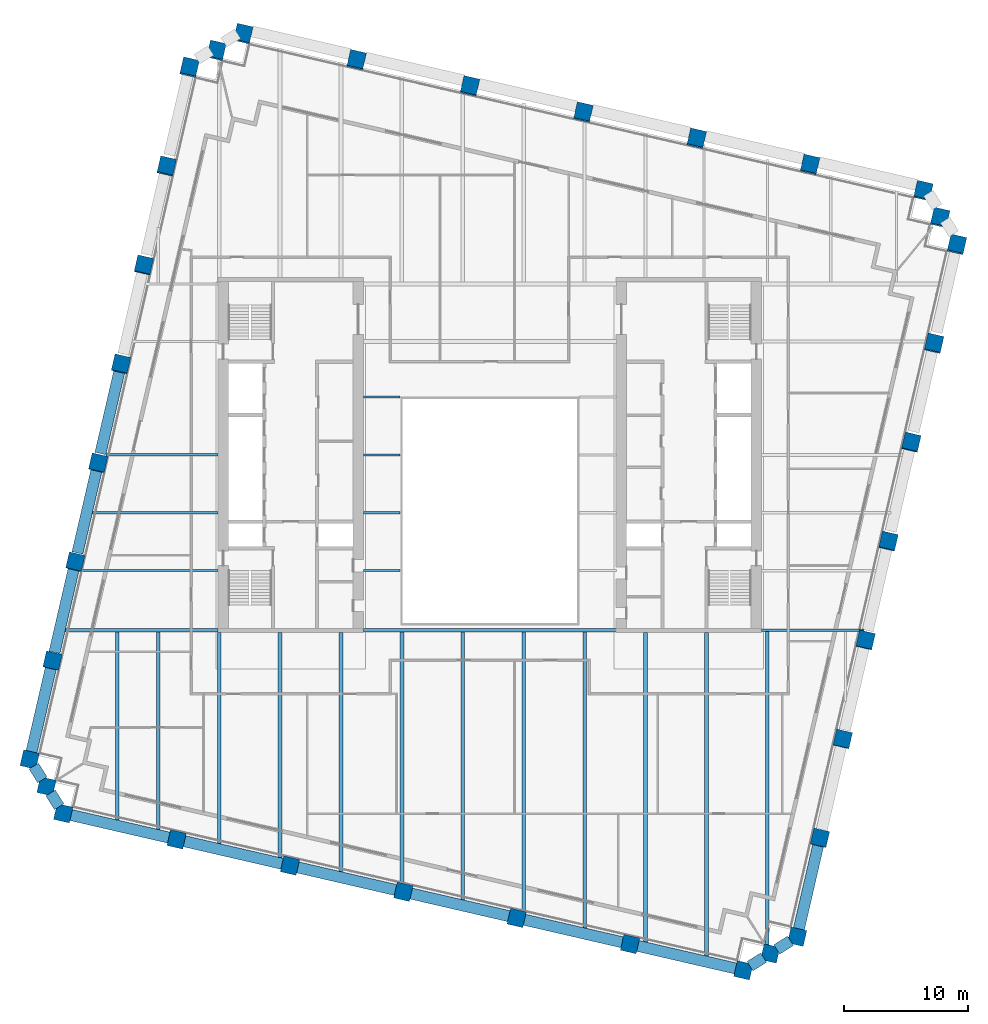
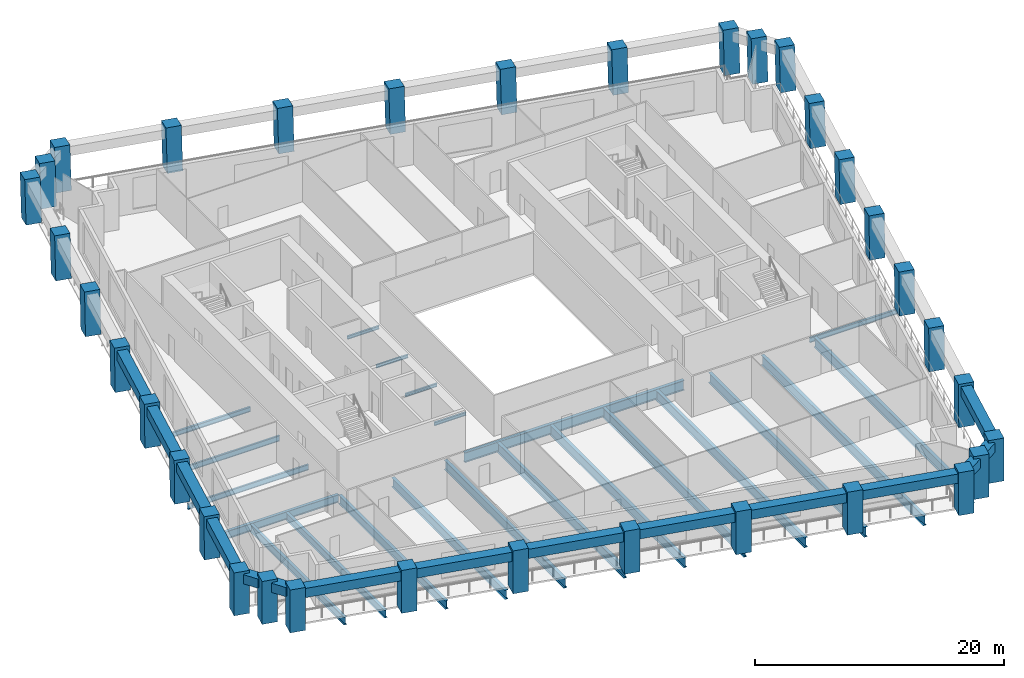
# One storey, part 1 of 9: 37 beams, 34 columns.
"""IFC4 building model written with IfcOpenShell, lengths in metres."""

from ifc_helpers import new_model, si_unit, direction, frame, origin, origin_2d, place, context, subcontext, project, spatial, rectangle, i_section, extrude, material, material_profile, profile_set, type_object, element, save


model = new_model("IFC4")

# Units and contexts
model_context = context("Model", 3, precision=1e-05, world=origin(), true_north=direction((0.0, 1.0)))
body_context = subcontext(model_context, "Body", "Model", "MODEL_VIEW")
ifc_project = project(units=[si_unit("LENGTHUNIT", "METRE"), si_unit("AREAUNIT", "SQUARE_METRE"), si_unit("VOLUMEUNIT", "CUBIC_METRE"), si_unit("PLANEANGLEUNIT", "RADIAN"), si_unit("MASSUNIT", "GRAM", prefix="KILO")], contexts=[model_context])

# Site, building, storey
site_placement = place(None, origin())
site = spatial("IfcSite", under=ifc_project, at=site_placement, CompositionType="ELEMENT")
building_placement = place(site_placement, origin())
building = spatial("IfcBuilding", under=site, at=building_placement, Name="Ogive Exchange Tower", CompositionType="ELEMENT")
storey_placement = place(building_placement, frame((0.0, 0.0, 126.60009765625)))
storey = spatial("IfcBuildingStorey", under=building, at=storey_placement, Name="L27", CompositionType="ELEMENT", Elevation=126.60009765625)

# Columns
ifc_material_1 = material(Name="Precast concrete C70/85 (limestone faced)", Category="masonry")
ifc_material_profile_1 = material_profile(ifc_material_1, rectangle(XDim=1.300048828125, YDim=1.300048828125, at=origin_2d()), Name="1300 x 1300")
ifc_profile_set_1 = profile_set([ifc_material_profile_1], Name="Precast concrete C70/85 (limestone faced)")
column_type = type_object("IfcColumnType", Name="Precast exoskeleton leg 1300 x 1300 C70/85", PredefinedType="COLUMN", material=ifc_profile_set_1)
for number, where, z_axis, x_axis, name in (
    (1, (-34.281982421875, -17.298095703125, 0.0), (0.0, 0.0, 1.0), (0.974370064785, -0.224951054344, 0.0), "Exoskeleton leg 1"),
    (2, (-25.171630859375, -19.401611328125, 0.0), (0.0, 0.0, 1.0), (0.974370064785, -0.224951054344, 0.0), "Exoskeleton leg 2"),
    (3, (-16.061279296875, -21.504638671875, 0.0), (0.0, 0.0, 1.0), (0.974370064785, -0.224951054344, 0.0), "Exoskeleton leg 3"),
    (4, (-6.950927734375, -23.60791015625, 0.0), (0.0, 0.0, 1.0), (0.974370064785, -0.224951054344, 0.0), "Exoskeleton leg 4"),
    (5, (2.159423828125, -25.711181640625, 0.0), (0.0, 0.0, 1.0), (0.974370064785, -0.224951054344, 0.0), "Exoskeleton leg 5"),
    (6, (11.269775390625, -27.814697265625, 0.0), (0.0, 0.0, 1.0), (0.974370064785, -0.224951054344, 0.0), "Exoskeleton leg 6"),
    (7, (20.380126953125, -29.91796875, 0.0), (0.0, 0.0, 1.0), (0.974370064785, -0.224951054344, 0.0), "Exoskeleton leg 7"),
    (8, (24.697509765625, -27.219970703125, 0.0), (0.0, 0.0, 1.0), (0.974370064785, -0.224951054344, 0.0), "Exoskeleton leg 8"),
):
    element("IfcColumn", number, at=place(storey_placement, frame(where, z_axis=z_axis, x_axis=x_axis)), inside=storey, type_object=column_type, Name=name, PredefinedType="COLUMN", context=body_context, shape_type="SweptSolid", body=[
        extrude(rectangle(XDim=1.300048828125, YDim=1.300048828125, at=origin_2d()), origin(), (0.0, 0.0, 1.0), 4.199951171875),
    ])
column_1_placement = place(storey_placement, frame((26.531005859375, -19.2783203125, 0.0), z_axis=(0.002964348167, 0.012671135303, 0.9999153239), x_axis=(-0.973709261374, 0.227794368487, 0.0)))
element("IfcColumn", 9, at=column_1_placement, inside=storey, type_object=column_type, Name="Exoskeleton leg 9", PredefinedType="COLUMN", context=body_context, shape_type="SweptSolid", body=[
    extrude(rectangle(XDim=1.300048828125, YDim=1.300048828125, at=origin_2d()), origin(), (0.0, 0.0, 1.0), 4.2001953125),
])
column_2_placement = place(storey_placement, frame((28.364501953125, -11.33642578125, 0.0), z_axis=(0.005869091843, 0.025277771797, 0.999663237302), x_axis=(-0.974088391429, 0.226167649504, 0.0)))
element("IfcColumn", 10, at=column_2_placement, inside=storey, type_object=column_type, Name="Exoskeleton leg 10", PredefinedType="COLUMN", context=body_context, shape_type="SweptSolid", body=[
    extrude(rectangle(XDim=1.300048828125, YDim=1.300048828125, at=origin_2d()), origin(), (0.0, 0.0, 1.0), 4.201416015625),
])
column_3_placement = place(storey_placement, frame((30.197998046875, -3.394775390625, 0.0), z_axis=(0.008828965511, 0.037929700519, 0.999241405861), x_axis=(-0.97396209058, 0.226710930732, 0.0)))
element("IfcColumn", 11, at=column_3_placement, inside=storey, type_object=column_type, Name="Exoskeleton leg 11", PredefinedType="COLUMN", context=body_context, shape_type="SweptSolid", body=[
    extrude(rectangle(XDim=1.300048828125, YDim=1.300048828125, at=origin_2d()), origin(), (0.0, 0.0, 1.0), 4.203125),
])
column_4_placement = place(storey_placement, frame((32.031494140625, 4.547119140625, 0.0), z_axis=(0.01172634467, 0.050504553776, 0.998654986914), x_axis=(-0.974088391429, 0.226167649504, 0.0)))
element("IfcColumn", 12, at=column_4_placement, inside=storey, type_object=column_type, Name="Exoskeleton leg 12", PredefinedType="COLUMN", context=body_context, shape_type="SweptSolid", body=[
    extrude(rectangle(XDim=1.300048828125, YDim=1.300048828125, at=origin_2d()), origin(), (0.0, 0.0, 1.0), 4.20556640625),
])
column_5_placement = place(storey_placement, frame((33.864990234375, 12.48876953125, 0.0), z_axis=(0.014617836866, 0.063111930596, 0.997899395261), x_axis=(-0.974209784844, 0.225644178107, 0.0)))
element("IfcColumn", 13, at=column_5_placement, inside=storey, type_object=column_type, Name="Exoskeleton leg 13", PredefinedType="COLUMN", context=body_context, shape_type="SweptSolid", body=[
    extrude(rectangle(XDim=1.300048828125, YDim=1.300048828125, at=origin_2d()), origin(), (0.0, 0.0, 1.0), 4.208740234375),
])
column_6_placement = place(storey_placement, frame((35.698486328125, 20.430419921875, 0.0), z_axis=(0.017501948819, 0.075745189095, 0.996973594493), x_axis=(-0.974328337224, 0.225131719848, 0.0)))
element("IfcColumn", 14, at=column_6_placement, inside=storey, type_object=column_type, Name="Exoskeleton leg 14", PredefinedType="COLUMN", context=body_context, shape_type="SweptSolid", body=[
    extrude(rectangle(XDim=1.300048828125, YDim=1.300048828125, at=origin_2d()), origin(), (0.0, 0.0, 1.0), 4.212646484375),
])
for number, where, z_axis, x_axis, name in (
    (15, (37.531982421875, 28.372314453125, 0.0), (0.020377493232, 0.0882252832, 0.995892091129), (-0.97434807649, 0.225046274885, 0.0), "Exoskeleton leg 15"),
    (16, (34.834228515625, 32.689697265625, 0.0), (0.020377493232, 0.0882252832, 0.995892091129), (-0.97434807649, 0.225046274885, 0.0), "Exoskeleton leg 16"),
    (17, (25.723876953125, 34.793212890625, 0.0), (0.020377597275, 0.088167842757, 0.995897175934), (-0.97431566651, 0.225186549318, 0.0), "Exoskeleton leg 17"),
    (18, (16.613525390625, 36.896484375, 0.0), (0.020377597275, 0.088167842757, 0.995897175934), (-0.97431566651, 0.225186549318, 0.0), "Exoskeleton leg 18"),
    (19, (7.503173828125, 38.999755859375, 0.0), (0.020377597275, 0.088167842757, 0.995897175934), (-0.97431566651, 0.225186549318, 0.0), "Exoskeleton leg 19"),
    (20, (-1.607177734375, 41.10302734375, 0.0), (0.020377493232, 0.0882252832, 0.995892091129), (-0.97434807649, 0.225046274885, 0.0), "Exoskeleton leg 20"),
    (21, (-10.717529296875, 43.206298828125, 0.0), (0.020377493232, 0.0882252832, 0.995892091129), (-0.97434807649, 0.225046274885, 0.0), "Exoskeleton leg 21"),
    (22, (-19.827880859375, 45.3095703125, 0.0), (0.020377493232, 0.0882252832, 0.995892091129), (-0.97434807649, 0.225046274885, 0.0), "Exoskeleton leg 22"),
    (23, (-24.1455078125, 42.611572265625, 0.0), (0.020377493232, 0.0882252832, 0.995892091129), (-0.97434807649, 0.225046274885, 0.0), "Exoskeleton leg 23"),
):
    element("IfcColumn", number, at=place(storey_placement, frame(where, z_axis=z_axis, x_axis=x_axis)), inside=storey, type_object=column_type, Name=name, PredefinedType="COLUMN", context=body_context, shape_type="SweptSolid", body=[
        extrude(rectangle(XDim=1.300048828125, YDim=1.300048828125, at=origin_2d()), origin(), (0.0, 0.0, 1.0), 4.21728515625),
    ])
column_7_placement = place(storey_placement, frame((-25.97900390625, 34.669921875, 0.0), z_axis=(0.017444089556, 0.075687644385, 0.996978978829), x_axis=(-0.974454034257, 0.224587032398, 0.0)))
element("IfcColumn", 24, at=column_7_placement, inside=storey, type_object=column_type, Name="Exoskeleton leg 24", PredefinedType="COLUMN", context=body_context, shape_type="SweptSolid", body=[
    extrude(rectangle(XDim=1.300048828125, YDim=1.300048828125, at=origin_2d()), origin(), (0.0, 0.0, 1.0), 4.212646484375),
])
column_8_placement = place(storey_placement, frame((-27.8125, 26.72802734375, 0.0), z_axis=(0.014559788571, 0.063169759976, 0.997896584813), x_axis=(-0.97445148511, 0.224598092528, 0.0)))
element("IfcColumn", 25, at=column_8_placement, inside=storey, type_object=column_type, Name="Exoskeleton leg 25", PredefinedType="COLUMN", context=body_context, shape_type="SweptSolid", body=[
    extrude(rectangle(XDim=1.300048828125, YDim=1.300048828125, at=origin_2d()), origin(), (0.0, 0.0, 1.0), 4.208740234375),
])
column_9_placement = place(storey_placement, frame((-29.64599609375, 18.786376953125, 0.0), z_axis=(0.011668267153, 0.050562490995, 0.998652735462), x_axis=(-0.974391195695, 0.224859506699, 0.0)))
element("IfcColumn", 26, at=column_9_placement, inside=storey, type_object=column_type, Name="Exoskeleton leg 26", PredefinedType="COLUMN", context=body_context, shape_type="SweptSolid", body=[
    extrude(rectangle(XDim=1.300048828125, YDim=1.300048828125, at=origin_2d()), origin(), (0.0, 0.0, 1.0), 4.20556640625),
])
column_10_placement = place(storey_placement, frame((-31.4794921875, 10.844482421875, 0.0), z_axis=(0.008770865357, 0.037987721479, 0.999239713451), x_axis=(-0.97436607968, 0.224968315033, 0.0)))
element("IfcColumn", 27, at=column_10_placement, inside=storey, type_object=column_type, Name="Exoskeleton leg 27", PredefinedType="COLUMN", context=body_context, shape_type="SweptSolid", body=[
    extrude(rectangle(XDim=1.300048828125, YDim=1.300048828125, at=origin_2d()), origin(), (0.0, 0.0, 1.0), 4.203125),
])
column_11_placement = place(storey_placement, frame((-33.31298828125, 2.90283203125, 0.0), z_axis=(0.005869083212, 0.025335844359, 0.999661767226), x_axis=(-0.974202561131, 0.225675363932, 0.0)))
element("IfcColumn", 28, at=column_11_placement, inside=storey, type_object=column_type, Name="Exoskeleton leg 28", PredefinedType="COLUMN", context=body_context, shape_type="SweptSolid", body=[
    extrude(rectangle(XDim=1.300048828125, YDim=1.300048828125, at=origin_2d()), origin(), (0.0, 0.0, 1.0), 4.201416015625),
])
column_12_placement = place(storey_placement, frame((-35.146484375, -5.038818359375, 0.0), z_axis=(0.002906224189, 0.012671137464, 0.999915494498), x_axis=(-0.974691740237, 0.22355315143, 0.0)))
element("IfcColumn", 29, at=column_12_placement, inside=storey, type_object=column_type, Name="Exoskeleton leg 29", PredefinedType="COLUMN", context=body_context, shape_type="SweptSolid", body=[
    extrude(rectangle(XDim=1.300048828125, YDim=1.300048828125, at=origin_2d()), origin(), (0.0, 0.0, 1.0), 4.2001953125),
])
for number, where, z_axis, x_axis, name in (
    (30, (-36.97998046875, -12.980712890625, 0.0), (0.0, 0.0, 1.0), (0.974370064785, -0.224951054344, 0.0), "Exoskeleton leg 30"),
    (31, (22.538818359375, -28.569091796875, 0.0), (0.0, 0.0, 1.0), (0.974370064785, -0.224951054344, 0.0), "Exoskeleton leg 31"),
):
    element("IfcColumn", number, at=place(storey_placement, frame(where, z_axis=z_axis, x_axis=x_axis)), inside=storey, type_object=column_type, Name=name, PredefinedType="COLUMN", context=body_context, shape_type="SweptSolid", body=[
        extrude(rectangle(XDim=1.300048828125, YDim=1.300048828125, at=origin_2d()), origin(), (0.0, 0.0, 1.0), 4.199951171875),
    ])
for number, where, z_axis, x_axis, name in (
    (32, (36.18310546875, 30.531005859375, 0.0), (0.020377493232, 0.0882252832, 0.995892091129), (-0.97434807649, 0.225046274885, 0.0), "Exoskeleton leg 32"),
    (33, (-21.98681640625, 43.960693359375, 0.0), (0.020377597275, 0.088167842757, 0.995897175934), (-0.97431566651, 0.225186549318, 0.0), "Exoskeleton leg 33"),
):
    element("IfcColumn", number, at=place(storey_placement, frame(where, z_axis=z_axis, x_axis=x_axis)), inside=storey, type_object=column_type, Name=name, PredefinedType="COLUMN", context=body_context, shape_type="SweptSolid", body=[
        extrude(rectangle(XDim=1.300048828125, YDim=1.300048828125, at=origin_2d()), origin(), (0.0, 0.0, 1.0), 4.21728515625),
    ])
column_13_placement = place(storey_placement, frame((-35.631103515625, -15.139404296875, 0.0), z_axis=(0.0, 0.0, 1.0), x_axis=(0.974370064785, -0.224951054344, 0.0)))
element("IfcColumn", 34, at=column_13_placement, inside=storey, type_object=column_type, Name="Exoskeleton leg 34", PredefinedType="COLUMN", context=body_context, shape_type="SweptSolid", body=[
    extrude(rectangle(XDim=1.300048828125, YDim=1.300048828125, at=origin_2d()), origin(), (0.0, 0.0, 1.0), 4.199951171875),
])

# Beams
ifc_material_2 = material(Name="Steel ASTM A992 Gr50", Category="steel")
ifc_material_profile_2 = material_profile(ifc_material_2, i_section(OverallWidth=0.300048828125, OverallDepth=0.969970703125, WebThickness=0.01611328125, FlangeThickness=0.02099609375, at=origin_2d()), Name="W1000x222")
ifc_profile_set_2 = profile_set([ifc_material_profile_2], Name="Steel ASTM A992 Gr50")
beam_type_1 = type_object("IfcBeamType", Name="Floor beam W1000x222", PredefinedType="JOIST", material=ifc_profile_set_2)
beam_1_placement = place(storey_placement, frame((-7.067138671875, -23.119384765625, -0.68505859375), z_axis=(0.0, 1.0, 0.0), x_axis=(-1.0, 0.0, 0.0)))
element("IfcBeam", 35, at=beam_1_placement, inside=storey, type_object=beam_type_1, Name="Floor beam", PredefinedType="JOIST", context=body_context, shape_type="SweptSolid", body=[
    extrude(i_section(OverallWidth=0.300048828125, OverallDepth=0.969970703125, WebThickness=0.01611328125, FlangeThickness=0.02099609375, at=origin_2d()), origin(), (0.0, 0.0, 1.0), 20.374267578125),
])
ifc_material_profile_3 = material_profile(ifc_material_2, i_section(OverallWidth=0.300048828125, OverallDepth=0.97998046875, WebThickness=0.0166015625, FlangeThickness=0.026123046875, at=origin_2d()), Name="W1000x249")
ifc_profile_set_3 = profile_set([ifc_material_profile_3], Name="Steel ASTM A992 Gr50")
beam_type_2 = type_object("IfcBeamType", Name="Floor beam W1000x249", PredefinedType="JOIST", material=ifc_profile_set_3)
beam_2_placement = place(storey_placement, frame((-2.171630859375, -24.24951171875, -0.690185546875), z_axis=(0.0, 1.0, 0.0), x_axis=(-1.0, 0.0, 0.0)))
element("IfcBeam", 36, at=beam_2_placement, inside=storey, type_object=beam_type_2, Name="Floor beam", PredefinedType="JOIST", context=body_context, shape_type="SweptSolid", body=[
    extrude(i_section(OverallWidth=0.300048828125, OverallDepth=0.97998046875, WebThickness=0.0166015625, FlangeThickness=0.026123046875, at=origin_2d()), origin(), (0.0, 0.0, 1.0), 21.50439453125),
])
beam_3_placement = place(storey_placement, frame((2.723876953125, -25.3798828125, -0.690185546875), z_axis=(0.0, 1.0, 0.0), x_axis=(-1.0, 0.0, 0.0)))
element("IfcBeam", 37, at=beam_3_placement, inside=storey, type_object=beam_type_2, Name="Floor beam", PredefinedType="JOIST", context=body_context, shape_type="SweptSolid", body=[
    extrude(i_section(OverallWidth=0.300048828125, OverallDepth=0.97998046875, WebThickness=0.0166015625, FlangeThickness=0.026123046875, at=origin_2d()), origin(), (0.0, 0.0, 1.0), 22.634765625),
])
beam_4_placement = place(storey_placement, frame((7.619384765625, -26.659912109375, -0.690185546875), z_axis=(0.0, 1.0, 0.0), x_axis=(-1.0, 0.0, 0.0)))
element("IfcBeam", 38, at=beam_4_placement, inside=storey, type_object=beam_type_2, Name="Floor beam", PredefinedType="JOIST", context=body_context, shape_type="SweptSolid", body=[
    extrude(i_section(OverallWidth=0.300048828125, OverallDepth=0.97998046875, WebThickness=0.0166015625, FlangeThickness=0.026123046875, at=origin_2d()), origin(), (0.0, 0.0, 1.0), 23.914794921875),
])
beam_5_placement = place(storey_placement, frame((12.514892578125, -27.790283203125, -0.690185546875), z_axis=(0.0, 1.0, 0.0), x_axis=(-1.0, 0.0, 0.0)))
element("IfcBeam", 39, at=beam_5_placement, inside=storey, type_object=beam_type_2, Name="Floor beam", PredefinedType="JOIST", context=body_context, shape_type="SweptSolid", body=[
    extrude(i_section(OverallWidth=0.300048828125, OverallDepth=0.97998046875, WebThickness=0.0166015625, FlangeThickness=0.026123046875, at=origin_2d()), origin(), (0.0, 0.0, 1.0), 25.040283203125),
])
beam_6_placement = place(storey_placement, frame((17.410400390625, -28.7705078125, -0.690185546875), z_axis=(0.0, 1.0, 0.0), x_axis=(-1.0, 0.0, 0.0)))
element("IfcBeam", 40, at=beam_6_placement, inside=storey, type_object=beam_type_2, Name="Floor beam", PredefinedType="JOIST", context=body_context, shape_type="SweptSolid", body=[
    extrude(i_section(OverallWidth=0.300048828125, OverallDepth=0.97998046875, WebThickness=0.0166015625, FlangeThickness=0.026123046875, at=origin_2d()), origin(), (0.0, 0.0, 1.0), 26.0205078125),
])
beam_7_placement = place(storey_placement, frame((22.305908203125, -27.998046875, -0.690185546875), z_axis=(0.0, 1.0, 0.0), x_axis=(-1.0, 0.0, 0.0)))
element("IfcBeam", 41, at=beam_7_placement, inside=storey, type_object=beam_type_2, Name="Floor beam", PredefinedType="JOIST", context=body_context, shape_type="SweptSolid", body=[
    extrude(i_section(OverallWidth=0.300048828125, OverallDepth=0.97998046875, WebThickness=0.0166015625, FlangeThickness=0.026123046875, at=origin_2d()), origin(), (0.0, 0.0, 1.0), 25.30712890625),
])
ifc_material_profile_4 = material_profile(ifc_material_2, i_section(OverallWidth=0.1650390625, OverallDepth=0.31005859375, WebThickness=0.005859375, FlangeThickness=0.009765625, at=origin_2d()), Name="W310x38.7")
ifc_profile_set_4 = profile_set([ifc_material_profile_4], Name="Steel ASTM A992 Gr50")
beam_type_3 = type_object("IfcBeamType", Name="Floor beam W310x38.7", PredefinedType="JOIST", material=ifc_profile_set_4)
for number, where, z_axis, x_axis, name in (
    (42, (-10.169921875, 2.208740234375, -0.35498046875), (1.0, 0.0, 0.0), (0.0, 1.0, 0.0), "Floor beam"),
    (43, (-10.169921875, 6.857421875, -0.35498046875), (1.0, 0.0, 0.0), (0.0, 1.0, 0.0), "Floor beam"),
    (44, (-10.169921875, 11.50634765625, -0.35498046875), (1.0, 0.0, 0.0), (0.0, 1.0, 0.0), "Floor beam"),
):
    element("IfcBeam", number, at=place(storey_placement, frame(where, z_axis=z_axis, x_axis=x_axis)), inside=storey, type_object=beam_type_3, Name=name, PredefinedType="JOIST", context=body_context, shape_type="SweptSolid", body=[
        extrude(i_section(OverallWidth=0.1650390625, OverallDepth=0.31005859375, WebThickness=0.005859375, FlangeThickness=0.009765625, at=origin_2d()), origin(), (0.0, 0.0, 1.0), 2.949951171875),
    ])
ifc_material_profile_5 = material_profile(ifc_material_2, i_section(OverallWidth=0.19091796875, OverallDepth=0.45703125, WebThickness=0.009033203125, FlangeThickness=0.014404296875, at=origin_2d()), Name="W460x74")
ifc_profile_set_5 = profile_set([ifc_material_profile_5], Name="Steel ASTM A992 Gr50")
beam_type_4 = type_object("IfcBeamType", Name="Floor beam W460x74", PredefinedType="JOIST", material=ifc_profile_set_5)
beam_8_placement = place(storey_placement, frame((-30.864990234375, 11.50634765625, -0.4287109375), z_axis=(1.0, 0.0, 0.0), x_axis=(0.0, 1.0, 0.0)))
element("IfcBeam", 45, at=beam_8_placement, inside=storey, type_object=beam_type_4, Name="Floor beam", PredefinedType="JOIST", context=body_context, shape_type="SweptSolid", body=[
    extrude(i_section(OverallWidth=0.19091796875, OverallDepth=0.45703125, WebThickness=0.009033203125, FlangeThickness=0.014404296875, at=origin_2d()), origin(), (0.0, 0.0, 1.0), 9.034912109375),
])
ifc_material_profile_6 = material_profile(ifc_material_2, i_section(OverallWidth=0.1669921875, OverallDepth=0.535888671875, WebThickness=0.01025390625, FlangeThickness=0.0166015625, at=origin_2d()), Name="W530x85")
ifc_profile_set_6 = profile_set([ifc_material_profile_6], Name="Steel ASTM A992 Gr50")
beam_type_5 = type_object("IfcBeamType", Name="Floor beam W530x85", PredefinedType="JOIST", material=ifc_profile_set_6)
beam_9_placement = place(storey_placement, frame((-33.011474609375, 2.208740234375, -0.468017578125), z_axis=(1.0, 0.0, 0.0), x_axis=(0.0, 1.0, 0.0)))
element("IfcBeam", 46, at=beam_9_placement, inside=storey, type_object=beam_type_5, Name="Floor beam", PredefinedType="JOIST", context=body_context, shape_type="SweptSolid", body=[
    extrude(i_section(OverallWidth=0.1669921875, OverallDepth=0.535888671875, WebThickness=0.01025390625, FlangeThickness=0.0166015625, at=origin_2d()), origin(), (0.0, 0.0, 1.0), 11.181396484375),
])
beam_10_placement = place(storey_placement, frame((-31.938232421875, 6.857421875, -0.468017578125), z_axis=(1.0, 0.0, 0.0), x_axis=(0.0, 1.0, 0.0)))
element("IfcBeam", 47, at=beam_10_placement, inside=storey, type_object=beam_type_5, Name="Floor beam", PredefinedType="JOIST", context=body_context, shape_type="SweptSolid", body=[
    extrude(i_section(OverallWidth=0.1669921875, OverallDepth=0.535888671875, WebThickness=0.01025390625, FlangeThickness=0.0166015625, at=origin_2d()), origin(), (0.0, 0.0, 1.0), 10.108154296875),
])
ifc_material_profile_7 = material_profile(ifc_material_2, i_section(OverallWidth=0.26708984375, OverallDepth=0.75390625, WebThickness=0.01318359375, FlangeThickness=0.01708984375, at=origin_2d()), Name="W760x147")
ifc_profile_set_7 = profile_set([ifc_material_profile_7], Name="Steel ASTM A992 Gr50")
beam_type_6 = type_object("IfcBeamType", Name="Floor beam W760x147", PredefinedType="JOIST", material=ifc_profile_set_7)
beam_11_placement = place(storey_placement, frame((-29.94482421875, -17.837646484375, -0.5771484375), z_axis=(0.0, 1.0, 0.0), x_axis=(-1.0, 0.0, 0.0)))
element("IfcBeam", 48, at=beam_11_placement, inside=storey, type_object=beam_type_6, Name="Floor beam", PredefinedType="JOIST", context=body_context, shape_type="SweptSolid", body=[
    extrude(i_section(OverallWidth=0.26708984375, OverallDepth=0.75390625, WebThickness=0.01318359375, FlangeThickness=0.01708984375, at=origin_2d()), origin(), (0.0, 0.0, 1.0), 15.109130859375),
])
ifc_material_profile_8 = material_profile(ifc_material_2, i_section(OverallWidth=0.26708984375, OverallDepth=0.761962890625, WebThickness=0.014404296875, FlangeThickness=0.021484375, at=origin_2d()), Name="W760x173")
ifc_profile_set_8 = profile_set([ifc_material_profile_8], Name="Steel ASTM A992 Gr50")
beam_type_7 = type_object("IfcBeamType", Name="Floor beam W760x173", PredefinedType="JOIST", material=ifc_profile_set_8)
beam_12_placement = place(storey_placement, frame((-26.6494140625, -18.598388671875, -0.5810546875), z_axis=(0.0, 1.0, 0.0), x_axis=(-1.0, 0.0, 0.0)))
element("IfcBeam", 49, at=beam_12_placement, inside=storey, type_object=beam_type_7, Name="Floor beam", PredefinedType="JOIST", context=body_context, shape_type="SweptSolid", body=[
    extrude(i_section(OverallWidth=0.26708984375, OverallDepth=0.761962890625, WebThickness=0.014404296875, FlangeThickness=0.021484375, at=origin_2d()), origin(), (0.0, 0.0, 1.0), 15.869873046875),
])
ifc_material_profile_9 = material_profile(ifc_material_2, i_section(OverallWidth=0.2919921875, OverallDepth=0.8359375, WebThickness=0.013916015625, FlangeThickness=0.018798828125, at=origin_2d()), Name="W840x176")
ifc_profile_set_9 = profile_set([ifc_material_profile_9], Name="Steel ASTM A992 Gr50")
beam_type_8 = type_object("IfcBeamType", Name="Floor beam W840x176", PredefinedType="JOIST", material=ifc_profile_set_9)
beam_13_placement = place(storey_placement, frame((-21.753662109375, -19.878662109375, -0.6181640625), z_axis=(0.0, 1.0, 0.0), x_axis=(-1.0, 0.0, 0.0)))
element("IfcBeam", 50, at=beam_13_placement, inside=storey, type_object=beam_type_8, Name="Floor beam", PredefinedType="JOIST", context=body_context, shape_type="SweptSolid", body=[
    extrude(i_section(OverallWidth=0.2919921875, OverallDepth=0.8359375, WebThickness=0.013916015625, FlangeThickness=0.018798828125, at=origin_2d()), origin(), (0.0, 0.0, 1.0), 17.128662109375),
])
ifc_material_profile_10 = material_profile(ifc_material_2, i_section(OverallWidth=0.304931640625, OverallDepth=0.904052734375, WebThickness=0.01513671875, FlangeThickness=0.02001953125, at=origin_2d()), Name="W920x201")
ifc_profile_set_10 = profile_set([ifc_material_profile_10], Name="Steel ASTM A992 Gr50")
beam_type_9 = type_object("IfcBeamType", Name="Floor beam W920x201", PredefinedType="JOIST", material=ifc_profile_set_10)
beam_14_placement = place(storey_placement, frame((-16.858154296875, -21.0087890625, -0.652099609375), z_axis=(0.0, 1.0, 0.0), x_axis=(-1.0, 0.0, 0.0)))
element("IfcBeam", 51, at=beam_14_placement, inside=storey, type_object=beam_type_9, Name="Floor beam", PredefinedType="JOIST", context=body_context, shape_type="SweptSolid", body=[
    extrude(i_section(OverallWidth=0.304931640625, OverallDepth=0.904052734375, WebThickness=0.01513671875, FlangeThickness=0.02001953125, at=origin_2d()), origin(), (0.0, 0.0, 1.0), 18.2587890625),
])
ifc_material_profile_11 = material_profile(ifc_material_2, i_section(OverallWidth=0.304931640625, OverallDepth=0.9189453125, WebThickness=0.017333984375, FlangeThickness=0.02783203125, at=origin_2d()), Name="W920x253")
ifc_profile_set_11 = profile_set([ifc_material_profile_11], Name="Steel ASTM A992 Gr50")
beam_type_10 = type_object("IfcBeamType", Name="Floor beam W920x253", PredefinedType="JOIST", material=ifc_profile_set_11)
beam_15_placement = place(storey_placement, frame((-11.962646484375, -21.9892578125, -0.65966796875), z_axis=(0.0, 1.0, 0.0), x_axis=(-1.0, 0.0, 0.0)))
element("IfcBeam", 52, at=beam_15_placement, inside=storey, type_object=beam_type_10, Name="Floor beam", PredefinedType="JOIST", context=body_context, shape_type="SweptSolid", body=[
    extrude(i_section(OverallWidth=0.304931640625, OverallDepth=0.9189453125, WebThickness=0.017333984375, FlangeThickness=0.02783203125, at=origin_2d()), origin(), (0.0, 0.0, 1.0), 19.2392578125),
])
ifc_material_profile_12 = material_profile(ifc_material_2, i_section(OverallWidth=0.300048828125, OverallDepth=0.97998046875, WebThickness=0.0166015625, FlangeThickness=0.026123046875, at=origin_2d()), Name="W1000x249")
ifc_profile_set_12 = profile_set([ifc_material_profile_12], Name="Steel ASTM A992 Gr50")
beam_type_11 = type_object("IfcBeamType", Name="Girder W1000x249", PredefinedType="BEAM", material=ifc_profile_set_12)
beam_16_placement = place(storey_placement, frame((-10.169921875, -2.594970703125, -0.690185546875), z_axis=(1.0, 0.0, 0.0), x_axis=(0.0, 1.0, 0.0)))
element("IfcBeam", 53, at=beam_16_placement, inside=storey, type_object=beam_type_11, Name="Header girder", PredefinedType="BEAM", context=body_context, shape_type="SweptSolid", body=[
    extrude(i_section(OverallWidth=0.300048828125, OverallDepth=0.97998046875, WebThickness=0.0166015625, FlangeThickness=0.026123046875, at=origin_2d()), origin(), (0.0, 0.0, 1.0), 20.33984375),
])
ifc_material_profile_13 = material_profile(ifc_material_2, i_section(OverallWidth=0.1650390625, OverallDepth=0.31005859375, WebThickness=0.005859375, FlangeThickness=0.009765625, at=origin_2d()), Name="W310x38.7")
ifc_profile_set_13 = profile_set([ifc_material_profile_13], Name="Steel ASTM A992 Gr50")
beam_type_12 = type_object("IfcBeamType", Name="Girder W310x38.7", PredefinedType="BEAM", material=ifc_profile_set_13)
beam_17_placement = place(storey_placement, frame((-10.169921875, 16.155029296875, -0.35498046875), z_axis=(1.0, 0.0, 0.0), x_axis=(0.0, 1.0, 0.0)))
element("IfcBeam", 54, at=beam_17_placement, inside=storey, type_object=beam_type_12, Name="Trimmer girder", PredefinedType="BEAM", context=body_context, shape_type="SweptSolid", body=[
    extrude(i_section(OverallWidth=0.1650390625, OverallDepth=0.31005859375, WebThickness=0.005859375, FlangeThickness=0.009765625, at=origin_2d()), origin(), (0.0, 0.0, 1.0), 2.949951171875),
])
ifc_material_profile_14 = material_profile(ifc_material_2, i_section(OverallWidth=0.19189453125, OverallDepth=0.4619140625, WebThickness=0.010498046875, FlangeThickness=0.017578125, at=origin_2d()), Name="W460x89")
ifc_profile_set_14 = profile_set([ifc_material_profile_14], Name="Steel ASTM A992 Gr50")
beam_type_13 = type_object("IfcBeamType", Name="Girder W460x89", PredefinedType="BEAM", material=ifc_profile_set_14)
beam_18_placement = place(storey_placement, frame((21.830078125, -2.594970703125, -0.43115234375), z_axis=(1.0, 0.0, 0.0), x_axis=(0.0, 1.0, 0.0)))
element("IfcBeam", 55, at=beam_18_placement, inside=storey, type_object=beam_type_13, Name="Header girder", PredefinedType="BEAM", context=body_context, shape_type="SweptSolid", body=[
    extrude(i_section(OverallWidth=0.19189453125, OverallDepth=0.4619140625, WebThickness=0.010498046875, FlangeThickness=0.017578125, at=origin_2d()), origin(), (0.0, 0.0, 1.0), 8.24072265625),
])
ifc_material_profile_15 = material_profile(ifc_material_2, i_section(OverallWidth=0.26708984375, OverallDepth=0.75390625, WebThickness=0.01318359375, FlangeThickness=0.01708984375, at=origin_2d()), Name="W760x147")
ifc_profile_set_15 = profile_set([ifc_material_profile_15], Name="Steel ASTM A992 Gr50")
beam_type_14 = type_object("IfcBeamType", Name="Girder W760x147", PredefinedType="BEAM", material=ifc_profile_set_15)
beam_19_placement = place(storey_placement, frame((-34.2705078125, -2.594970703125, -0.5771484375), z_axis=(1.0, 0.0, 0.0), x_axis=(0.0, 1.0, 0.0)))
element("IfcBeam", 56, at=beam_19_placement, inside=storey, type_object=beam_type_14, Name="Header girder", PredefinedType="BEAM", context=body_context, shape_type="SweptSolid", body=[
    extrude(i_section(OverallWidth=0.26708984375, OverallDepth=0.75390625, WebThickness=0.01318359375, FlangeThickness=0.01708984375, at=origin_2d()), origin(), (0.0, 0.0, 1.0), 12.4404296875),
])
ifc_material_profile_16 = material_profile(ifc_material_1, rectangle(XDim=0.89990234375, YDim=0.89990234375, at=origin_2d()), Name="900 x 900")
ifc_profile_set_16 = profile_set([ifc_material_profile_16], Name="Precast concrete C70/85 (limestone faced)")
beam_type_15 = type_object("IfcBeamType", Name="Precast spandrel 900 x 900 C70/85", PredefinedType="SPANDREL", material=ifc_profile_set_16)
for number, where, z_axis, x_axis, name in (
    (57, (-33.668212890625, -17.43994140625, 3.5), (0.974370337884, -0.224949871421, 0.0), (0.224949871421, 0.974370337884, 0.0), "Spandrel 1"),
    (58, (-24.557861328125, -19.543212890625, 3.5), (0.974370337884, -0.224949871421, 0.0), (0.224949871421, 0.974370337884, 0.0), "Spandrel 2"),
):
    element("IfcBeam", number, at=place(storey_placement, frame(where, z_axis=z_axis, x_axis=x_axis)), inside=storey, type_object=beam_type_15, Name=name, PredefinedType="SPANDREL", context=body_context, shape_type="SweptSolid", body=[
        extrude(rectangle(XDim=0.89990234375, YDim=0.89990234375, at=origin_2d()), origin(), (0.0, 0.0, 1.0), 8.08984375),
    ])
beam_20_placement = place(storey_placement, frame((-15.447509765625, -21.646484375, 3.5), z_axis=(0.974371864918, -0.224943256972, 0.0), x_axis=(0.224943256972, 0.974371864918, 0.0)))
element("IfcBeam", 59, at=beam_20_placement, inside=storey, type_object=beam_type_15, Name="Spandrel 3", PredefinedType="SPANDREL", context=body_context, shape_type="SweptSolid", body=[
    extrude(rectangle(XDim=0.89990234375, YDim=0.89990234375, at=origin_2d()), origin(), (0.0, 0.0, 1.0), 8.090087890625),
])
beam_21_placement = place(storey_placement, frame((-6.337158203125, -23.749755859375, 3.5), z_axis=(0.974370337884, -0.224949871421, 0.0), x_axis=(0.224949871421, 0.974370337884, 0.0)))
element("IfcBeam", 60, at=beam_21_placement, inside=storey, type_object=beam_type_15, Name="Spandrel 4", PredefinedType="SPANDREL", context=body_context, shape_type="SweptSolid", body=[
    extrude(rectangle(XDim=0.89990234375, YDim=0.89990234375, at=origin_2d()), origin(), (0.0, 0.0, 1.0), 8.08984375),
])
beam_22_placement = place(storey_placement, frame((2.773193359375, -25.85302734375, 3.5), z_axis=(0.974371864918, -0.224943256972, 0.0), x_axis=(0.224943256972, 0.974371864918, 0.0)))
element("IfcBeam", 61, at=beam_22_placement, inside=storey, type_object=beam_type_15, Name="Spandrel 5", PredefinedType="SPANDREL", context=body_context, shape_type="SweptSolid", body=[
    extrude(rectangle(XDim=0.89990234375, YDim=0.89990234375, at=origin_2d()), origin(), (0.0, 0.0, 1.0), 8.090087890625),
])
beam_23_placement = place(storey_placement, frame((11.883544921875, -27.956298828125, 3.5), z_axis=(0.974370337884, -0.224949871421, 0.0), x_axis=(0.224949871421, 0.974370337884, 0.0)))
element("IfcBeam", 62, at=beam_23_placement, inside=storey, type_object=beam_type_15, Name="Spandrel 6", PredefinedType="SPANDREL", context=body_context, shape_type="SweptSolid", body=[
    extrude(rectangle(XDim=0.89990234375, YDim=0.89990234375, at=origin_2d()), origin(), (0.0, 0.0, 1.0), 8.08984375),
])
for number, where, z_axis, x_axis, name in (
    (63, (20.9052734375, -29.58984375, 3.5), (0.848040277303, 0.529931776808, 0.0), (-0.529931776808, 0.848040277303, 0.0), "Spandrel 7"),
    (64, (23.06396484375, -28.24072265625, 3.5), (0.848092721491, 0.529847842077, 0.0), (-0.529847842077, 0.848092721491, 0.0), "Spandrel 8"),
):
    element("IfcBeam", number, at=place(storey_placement, frame(where, z_axis=z_axis, x_axis=x_axis)), inside=storey, type_object=beam_type_15, Name=name, PredefinedType="SPANDREL", context=body_context, shape_type="SweptSolid", body=[
        extrude(rectangle(XDim=0.89990234375, YDim=0.89990234375, at=origin_2d()), origin(), (0.0, 0.0, 1.0), 1.30712890625),
    ])
for number, where, z_axis, x_axis, name in (
    (65, (24.83935546875, -26.606201171875, 3.5), (0.224944228597, 0.974371640608, 0.0), (-0.974371640608, 0.224944228597, 0.0), "Spandrel 9"),
    (66, (-29.738525390625, 18.385009765625, 3.5), (-0.22497760249, -0.974363935282, 0.0), (0.974363935282, -0.22497760249, 0.0), "Spandrel 29"),
    (67, (-31.58447265625, 10.39013671875, 3.5), (-0.224944228597, -0.974371640608, 0.0), (0.974371640608, -0.224944228597, 0.0), "Spandrel 30"),
    (68, (-33.43017578125, 2.395263671875, 3.5), (-0.224944228597, -0.974371640608, 0.0), (0.974371640608, -0.224944228597, 0.0), "Spandrel 31"),
    (69, (-35.27587890625, -5.599609375, 3.5), (-0.22497760249, -0.974363935282, 0.0), (0.974363935282, -0.22497760249, 0.0), "Spandrel 32"),
):
    element("IfcBeam", number, at=place(storey_placement, frame(where, z_axis=z_axis, x_axis=x_axis)), inside=storey, type_object=beam_type_15, Name=name, PredefinedType="SPANDREL", context=body_context, shape_type="SweptSolid", body=[
        extrude(rectangle(XDim=0.89990234375, YDim=0.89990234375, at=origin_2d()), origin(), (0.0, 0.0, 1.0), 6.945068359375),
    ])
for number, where, z_axis, x_axis, name in (
    (70, (-36.65185546875, -13.505615234375, 3.5), (0.529847842077, -0.848092721491, 0.0), (0.848092721491, 0.529847842077, 0.0), "Spandrel 33"),
    (71, (-35.302978515625, -15.66455078125, 3.5), (0.530066093226, -0.847956329543, 0.0), (0.847956329543, 0.530066093226, 0.0), "Spandrel 34"),
):
    element("IfcBeam", number, at=place(storey_placement, frame(where, z_axis=z_axis, x_axis=x_axis)), inside=storey, type_object=beam_type_15, Name=name, PredefinedType="SPANDREL", context=body_context, shape_type="SweptSolid", body=[
        extrude(rectangle(XDim=0.89990234375, YDim=0.89990234375, at=origin_2d()), origin(), (0.0, 0.0, 1.0), 1.30712890625),
    ])

save(model, "model.ifc")
